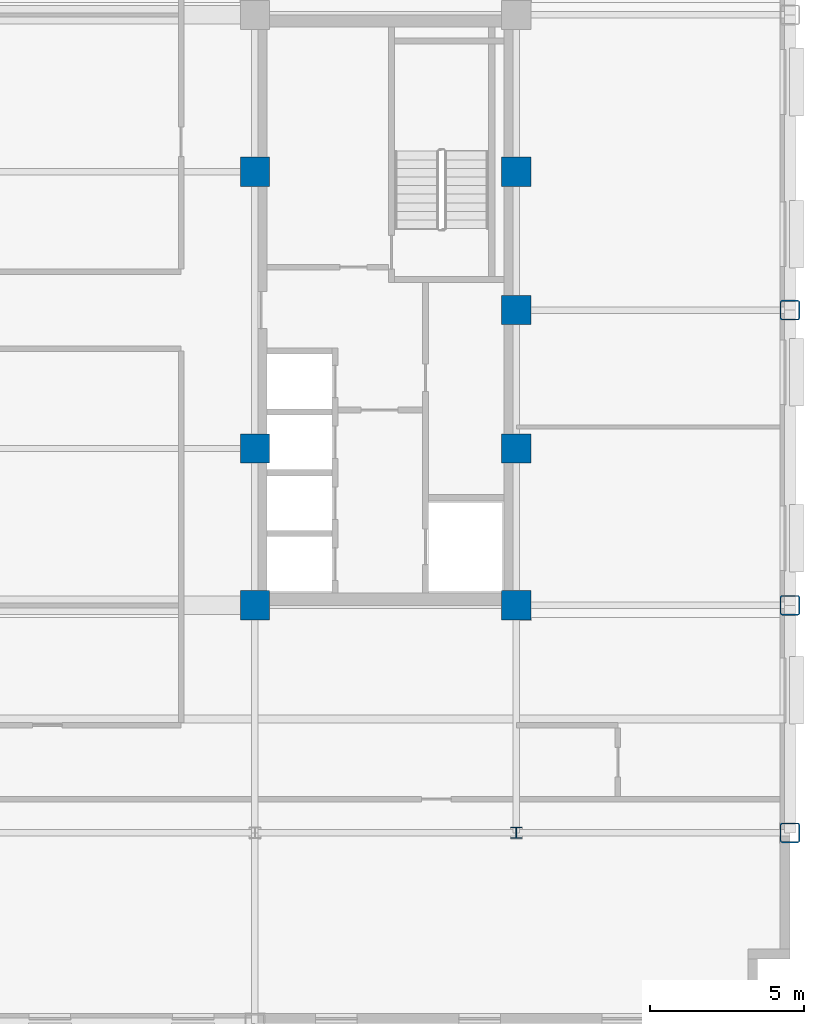
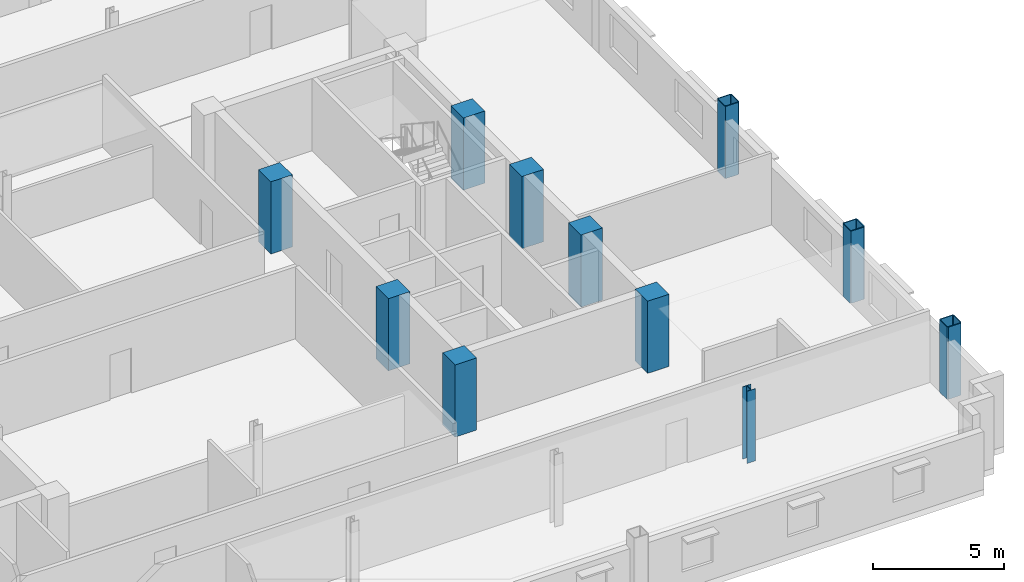
# One storey, part 2 of 14: 11 columns.
"""IFC4 building model written with IfcOpenShell, lengths in metres."""

from ifc_helpers import new_model, si_unit, direction, frame, origin, origin_2d, place, context, subcontext, project, spatial, rectangle, hollow_rectangle, i_section, extrude, material, material_profile, profile_set, type_object, element, save


model = new_model("IFC4")

# Units and contexts
model_context = context("Model", 3, precision=1e-05, world=origin(), true_north=direction((0.0, 1.0)))
body_context = subcontext(model_context, "Body", "Model", "MODEL_VIEW")
ifc_project = project(units=[si_unit("LENGTHUNIT", "METRE"), si_unit("AREAUNIT", "SQUARE_METRE"), si_unit("VOLUMEUNIT", "CUBIC_METRE"), si_unit("PLANEANGLEUNIT", "RADIAN"), si_unit("MASSUNIT", "GRAM", prefix="KILO")], contexts=[model_context])

# Site, building, storey
site_placement = place(None, origin())
site = spatial("IfcSite", under=ifc_project, at=site_placement, CompositionType="ELEMENT")
building_placement = place(site_placement, origin())
building = spatial("IfcBuilding", under=site, at=building_placement, Name="Nuvemarco Arch Tower", CompositionType="ELEMENT")
storey_placement = place(building_placement, frame((0.0, 0.0, 127.5)))
storey = spatial("IfcBuildingStorey", under=building, at=storey_placement, Name="L33", CompositionType="ELEMENT", Elevation=127.5)

# Columns
ifc_material_1 = material(Name="Concrete C50/60", Category="concrete")
ifc_material_profile_1 = material_profile(ifc_material_1, rectangle(XDim=0.949951171875, YDim=0.949951171875, at=origin_2d()), Name="RC-COL-950x950")
ifc_profile_set_1 = profile_set([ifc_material_profile_1], Name="Concrete C50/60")
column_type_1 = type_object("IfcColumnType", Name="COL-CORE-950", PredefinedType="COLUMN", material=ifc_profile_set_1)
for number, where, z_axis, x_axis, name in (
    (1, (9.0, -9.60009765625, 0.0), (0.0, 0.0, 1.0), (1.0, 0.0, 0.0), "L33 column CC_+9.0_-9.6"),
    (2, (9.0, -4.5, 0.0), (0.0, 0.0, 1.0), (1.0, 0.0, 0.0), "L33 column CC_+9.0_-4.5"),
    (3, (9.0, 4.5, 0.0), (0.0, 0.0, 1.0), (1.0, 0.0, 0.0), "L33 column CC_+9.0_+4.5"),
    (4, (17.5, -9.60009765625, 0.0), (0.0, 0.0, 1.0), (1.0, 0.0, 0.0), "L33 column CC_+17.5_-9.6"),
    (5, (17.5, -4.5, 0.0), (0.0, 0.0, 1.0), (1.0, 0.0, 0.0), "L33 column CC_+17.5_-4.5"),
    (6, (17.5, 4.5, 0.0), (0.0, 0.0, 1.0), (1.0, 0.0, 0.0), "L33 column CC_+17.5_+4.5"),
    (7, (17.5, 0.0, 0.0), (0.0, 0.0, 1.0), (1.0, 0.0, 0.0), "L33 column CC_+17.5_+0.0"),
):
    element("IfcColumn", number, at=place(storey_placement, frame(where, z_axis=z_axis, x_axis=x_axis)), inside=storey, type_object=column_type_1, Name=name, PredefinedType="COLUMN", context=body_context, shape_type="SweptSolid", body=[
        extrude(rectangle(XDim=0.949951171875, YDim=0.949951171875, at=origin_2d()), origin(), (0.0, 0.0, 1.0), 3.3701171875),
    ])
ifc_material_2 = material(Name="Steel S355", Category="steel")
ifc_material_profile_2 = material_profile(ifc_material_2, hollow_rectangle(XDim=0.64990234375, YDim=0.64990234375, WallThickness=0.0400390625, InnerFilletRadius=0.0400390625, OuterFilletRadius=0.080078125, at=origin_2d()), Name="SHS650x650x40")
ifc_profile_set_2 = profile_set([ifc_material_profile_2], Name="Steel S355")
column_type_2 = type_object("IfcColumnType", Name="COL-EXO-650", PredefinedType="COLUMN", material=ifc_profile_set_2)
for number, where, z_axis, x_axis, name in (
    (8, (26.39990234375, -17.0, 0.0), (0.0, 0.0, 1.0), (1.0, 0.0, 0.0), "L33 column CX_+26.4_-17.0"),
    (9, (26.39990234375, -9.60009765625, 0.0), (0.0, 0.0, 1.0), (1.0, 0.0, 0.0), "L33 column CX_+26.4_-9.6"),
    (10, (26.39990234375, 0.0, 0.0), (0.0, 0.0, 1.0), (1.0, 0.0, 0.0), "L33 column CX_+26.4_+0.0"),
):
    element("IfcColumn", number, at=place(storey_placement, frame(where, z_axis=z_axis, x_axis=x_axis)), inside=storey, type_object=column_type_2, Name=name, PredefinedType="COLUMN", context=body_context, shape_type="SweptSolid", body=[
        extrude(hollow_rectangle(XDim=0.64990234375, YDim=0.64990234375, WallThickness=0.0400390625, InnerFilletRadius=0.0400390625, OuterFilletRadius=0.080078125, at=origin_2d()), origin(), (0.0, 0.0, 1.0), 3.3701171875),
    ])
ifc_material_profile_3 = material_profile(ifc_material_2, i_section(OverallWidth=0.360107421875, OverallDepth=0.360107421875, WebThickness=0.0205078125, FlangeThickness=0.0205078125, FilletRadius=0.01806640625, at=origin_2d()), Name="HP360x174")
ifc_profile_set_3 = profile_set([ifc_material_profile_3], Name="Steel S355")
column_type_3 = type_object("IfcColumnType", Name="COL-STL-HP360", PredefinedType="COLUMN", material=ifc_profile_set_3)
column_placement = place(storey_placement, frame((17.5, -17.0, 0.0), z_axis=(0.0, 0.0, 1.0), x_axis=(1.0, 0.0, 0.0)))
element("IfcColumn", 11, at=column_placement, inside=storey, type_object=column_type_3, Name="L33 column CI_+17.5_-17.0", PredefinedType="COLUMN", context=body_context, shape_type="SweptSolid", body=[
    extrude(i_section(OverallWidth=0.360107421875, OverallDepth=0.360107421875, WebThickness=0.0205078125, FlangeThickness=0.0205078125, FilletRadius=0.01806640625, at=origin_2d()), origin(), (0.0, 0.0, 1.0), 3.3701171875),
])

save(model, "model.ifc")
